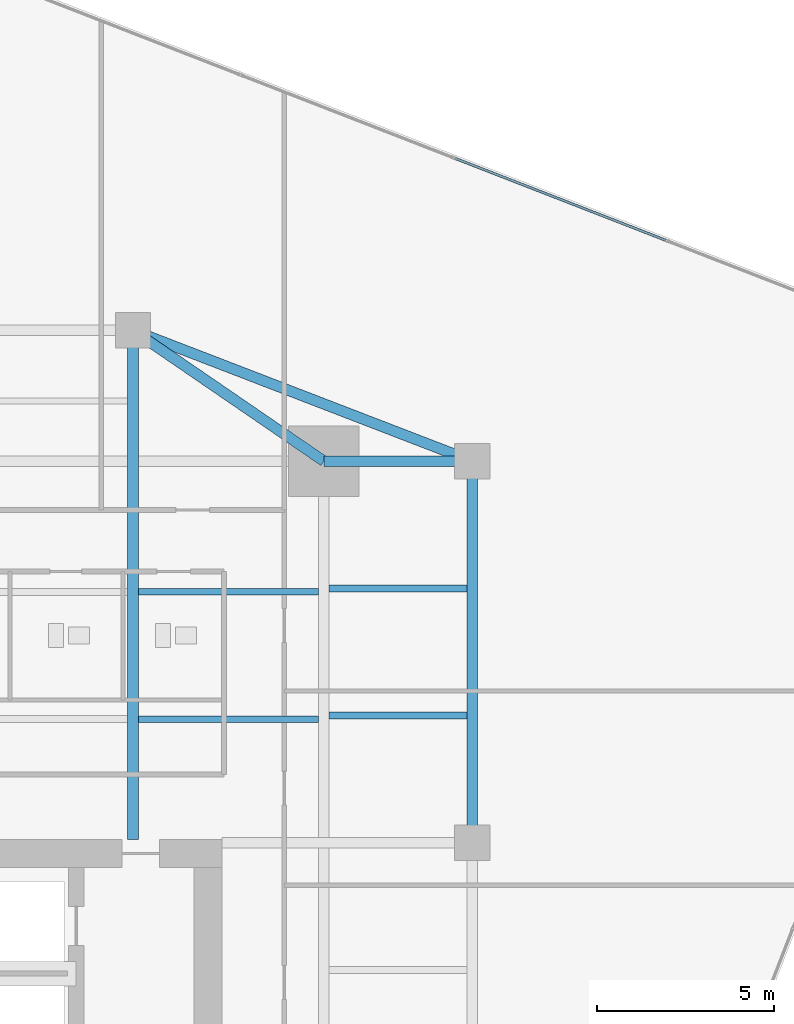
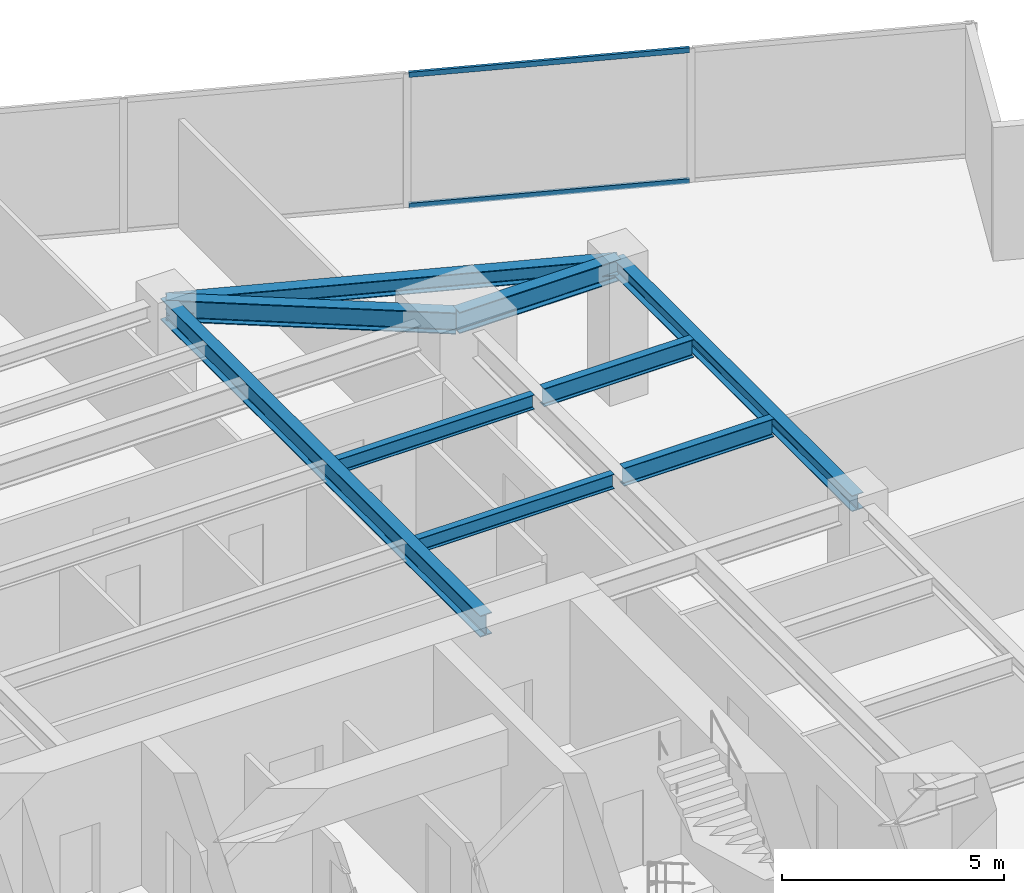
# One storey, part 18 of 26: 9 beams, 2 members, 1 element without a shape of its own.
"""IFC4 building model written with IfcOpenShell, lengths in metres."""

from ifc_helpers import new_model, si_unit, direction, frame, origin, origin_2d, place, context, subcontext, project, spatial, hollow_rectangle, i_section, extrude, source, transform, mapped, material, material_profile, profile_set, type_object, type_shapes, element, aggregate, save


model = new_model("IFC4")

# Units and contexts
model_context = context("Model", 3, precision=1e-05, world=origin(), true_north=direction((0.0, 1.0)))
body_context = subcontext(model_context, "Body", "Model", "MODEL_VIEW")
ifc_project = project(units=[si_unit("LENGTHUNIT", "METRE"), si_unit("AREAUNIT", "SQUARE_METRE"), si_unit("VOLUMEUNIT", "CUBIC_METRE"), si_unit("PLANEANGLEUNIT", "RADIAN"), si_unit("MASSUNIT", "GRAM", prefix="KILO")], contexts=[model_context])

# Site, building, storey
site_placement = place(None, origin())
site = spatial("IfcSite", under=ifc_project, at=site_placement, CompositionType="ELEMENT")
building_placement = place(site_placement, origin())
building = spatial("IfcBuilding", under=site, at=building_placement, Name="Krantzveldt Concourse Tower", CompositionType="ELEMENT")
storey_placement = place(building_placement, frame((0.0, 0.0, 129.550048828125)))
storey = spatial("IfcBuildingStorey", under=building, at=storey_placement, Name="L31", CompositionType="ELEMENT", Elevation=129.550048828125)

# Beams
ifc_material_1 = material(Name="Steel S355JR", Category="steel")
ifc_material_profile_1 = material_profile(ifc_material_1, i_section(OverallWidth=0.300048828125, OverallDepth=0.590087890625, WebThickness=0.012939453125, FlangeThickness=0.02490234375, FilletRadius=0.027099609375, at=origin_2d()), Name="Steel S355JR", Category="steel")
ifc_profile_set_1 = profile_set([ifc_material_profile_1], Name="Steel S355JR - HEA 600")
beam_type_1 = type_object("IfcBeamType", Name="BM-B-HEA600", PredefinedType="BEAM", material=ifc_profile_set_1)
shared_shape_1 = source(origin(), body_context, "Body", "SweptSolid", [
    extrude(i_section(OverallWidth=0.300048828125, OverallDepth=0.590087890625, WebThickness=0.012939453125, FlangeThickness=0.02490234375, FilletRadius=0.027099609375, at=origin_2d()), origin(), (0.0, 0.0, 1.0), 14.39990234375),
])
beam_1_placement = place(storey_placement, frame((41.39990234375, 26.800048828125, 3.375), z_axis=(0.0, 1.0, 0.0), x_axis=(-1.0, 0.0, 0.0)))
element("IfcBeam", 1, at=beam_1_placement, inside=storey, type_object=beam_type_1, Name="L31 Tower Girder BG-CNE", PredefinedType="BEAM", context=body_context, shape_type="MappedRepresentation", body=[
    mapped(shared_shape_1, transform((0.0, 0.0, 0.0), x_axis=(1.0, 0.0, 0.0), y_axis=(0.0, 1.0, 0.0), z_axis=(0.0, 0.0, 1.0), scale=1.0)),
])
ifc_material_profile_2 = material_profile(ifc_material_1, i_section(OverallWidth=0.300048828125, OverallDepth=0.43994140625, WebThickness=0.011474609375, FlangeThickness=0.02099609375, FilletRadius=0.027099609375, at=origin_2d()), Name="Steel S355JR", Category="steel")
ifc_profile_set_2 = profile_set([ifc_material_profile_2], Name="Steel S355JR - HEA 450")
beam_type_2 = type_object("IfcBeamType", Name="BM-SP-HEA450", PredefinedType="SPANDREL", material=ifc_profile_set_2)
shared_shape_2 = source(origin(), body_context, "Body", "SweptSolid", [
    extrude(i_section(OverallWidth=0.300048828125, OverallDepth=0.43994140625, WebThickness=0.011474609375, FlangeThickness=0.02099609375, FilletRadius=0.027099609375, at=origin_2d()), origin(), (0.0, 0.0, 1.0), 10.800048828125),
])
beam_2_placement = place(storey_placement, frame((51.0, 37.5, 3.449951171875), z_axis=(0.0, -1.0, 0.0), x_axis=(1.0, 0.0, 0.0)))
element("IfcBeam", 2, at=beam_2_placement, inside=storey, type_object=beam_type_2, Name="L31 Tower Girder SP-R06", PredefinedType="SPANDREL", context=body_context, shape_type="MappedRepresentation", body=[
    mapped(shared_shape_2, transform((0.0, 0.0, 0.0), x_axis=(1.0, 0.0, 0.0), y_axis=(0.0, 1.0, 0.0), z_axis=(0.0, 0.0, 1.0), scale=1.0)),
])
shared_shape_3 = source(origin(), body_context, "Body", "SweptSolid", [
    extrude(i_section(OverallWidth=0.300048828125, OverallDepth=0.43994140625, WebThickness=0.011474609375, FlangeThickness=0.02099609375, FilletRadius=0.027099609375, at=origin_2d()), origin(), (0.0, 0.0, 1.0), 10.288330078125),
])
type_shapes(beam_type_2, [shared_shape_2, shared_shape_3])
beam_3_placement = place(storey_placement, frame((41.39990234375, 41.199951171875, 3.449951171875), z_axis=(0.933097690408, -0.359622997257, 0.0), x_axis=(0.359622997257, 0.933097690408, 0.0)))
element("IfcBeam", 3, at=beam_3_placement, inside=storey, type_object=beam_type_2, Name="L31 Tower Girder SP-R05", PredefinedType="SPANDREL", context=body_context, shape_type="MappedRepresentation", body=[
    mapped(shared_shape_3, transform((0.0, 0.0, 0.0), x_axis=(1.0, 0.0, 0.0), y_axis=(0.0, 1.0, 0.0), z_axis=(0.0, 0.0, 1.0), scale=1.0)),
])
shared_shape_4 = source(origin(), body_context, "Body", "SweptSolid", [
    extrude(i_section(OverallWidth=0.300048828125, OverallDepth=0.590087890625, WebThickness=0.012939453125, FlangeThickness=0.02490234375, FilletRadius=0.027099609375, at=origin_2d()), origin(), (0.0, 0.0, 1.0), 4.199951171875),
])
beam_4_placement = place(storey_placement, frame((46.800048828125, 37.5, 3.375), z_axis=(1.0, 0.0, 0.0), x_axis=(0.0, 1.0, 0.0)))
element("IfcBeam", 4, at=beam_4_placement, inside=storey, type_object=beam_type_1, Name="L31 Tower Girder BR-RR3", PredefinedType="BEAM", context=body_context, shape_type="MappedRepresentation", body=[
    mapped(shared_shape_4, transform((0.0, 0.0, 0.0), x_axis=(1.0, 0.0, 0.0), y_axis=(0.0, 1.0, 0.0), z_axis=(0.0, 0.0, 1.0), scale=1.0)),
])
shared_shape_5 = source(origin(), body_context, "Body", "SweptSolid", [
    extrude(i_section(OverallWidth=0.300048828125, OverallDepth=0.590087890625, WebThickness=0.012939453125, FlangeThickness=0.02490234375, FilletRadius=0.027099609375, at=origin_2d()), origin(), (0.0, 0.0, 1.0), 6.546142578125),
])
type_shapes(beam_type_1, [shared_shape_1, shared_shape_4, shared_shape_5])
beam_5_placement = place(storey_placement, frame((46.800048828125, 37.5, 3.375), z_axis=(-0.824942999484, 0.565215930068, 0.0), x_axis=(-0.565215930068, -0.824942999484, 0.0)))
element("IfcBeam", 5, at=beam_5_placement, inside=storey, type_object=beam_type_1, Name="L31 Tower Girder BR-RR4", PredefinedType="BEAM", context=body_context, shape_type="MappedRepresentation", body=[
    mapped(shared_shape_5, transform((0.0, 0.0, 0.0), x_axis=(1.0, 0.0, 0.0), y_axis=(0.0, 1.0, 0.0), z_axis=(0.0, 0.0, 1.0), scale=1.0)),
])
ifc_material_profile_3 = material_profile(ifc_material_1, i_section(OverallWidth=0.179931640625, OverallDepth=0.39990234375, WebThickness=0.008544921875, FlangeThickness=0.013427734375, FilletRadius=0.02099609375, at=origin_2d()), Name="Steel S355JR", Category="steel")
ifc_profile_set_3 = profile_set([ifc_material_profile_3], Name="Steel S355JR - IPE 400")
beam_type_3 = type_object("IfcBeamType", Name="BM-J-IPE400", PredefinedType="JOIST", material=ifc_profile_set_3)
shared_shape_6 = source(origin(), body_context, "Body", "SweptSolid", [
    extrude(i_section(OverallWidth=0.179931640625, OverallDepth=0.39990234375, WebThickness=0.008544921875, FlangeThickness=0.013427734375, FilletRadius=0.02099609375, at=origin_2d()), origin(), (0.0, 0.0, 1.0), 5.099853515625),
])
type_shapes(beam_type_3, [shared_shape_6])
for number, where, z_axis, x_axis, name in (
    (6, (41.550048828125, 30.199951171875, 3.469970703125), (1.0, 0.0, 0.0), (0.0, 1.0, 0.0), "L31 Secondary Floor Joist JN-E1"),
    (7, (41.550048828125, 33.800048828125, 3.469970703125), (1.0, 0.0, 0.0), (0.0, 1.0, 0.0), "L31 Secondary Floor Joist JN-E2"),
):
    element("IfcBeam", number, at=place(storey_placement, frame(where, z_axis=z_axis, x_axis=x_axis)), inside=storey, type_object=beam_type_3, Name=name, PredefinedType="JOIST", context=body_context, shape_type="MappedRepresentation", body=[
        mapped(shared_shape_6, transform((0.0, 0.0, 0.0), x_axis=(1.0, 0.0, 0.0), y_axis=(0.0, 1.0, 0.0), z_axis=(0.0, 0.0, 1.0), scale=1.0)),
    ])
ifc_material_profile_4 = material_profile(ifc_material_1, i_section(OverallWidth=0.199951171875, OverallDepth=0.5, WebThickness=0.01025390625, FlangeThickness=0.01611328125, FilletRadius=0.02099609375, at=origin_2d()), Name="Steel S355JR", Category="steel")
ifc_profile_set_4 = profile_set([ifc_material_profile_4], Name="Steel S355JR - IPE 500")
beam_type_4 = type_object("IfcBeamType", Name="BM-J-IPE500", PredefinedType="JOIST", material=ifc_profile_set_4)
shared_shape_7 = source(origin(), body_context, "Body", "SweptSolid", [
    extrude(i_section(OverallWidth=0.199951171875, OverallDepth=0.5, WebThickness=0.01025390625, FlangeThickness=0.01611328125, FilletRadius=0.02099609375, at=origin_2d()), origin(), (0.0, 0.0, 1.0), 3.900146484375),
])
type_shapes(beam_type_4, [shared_shape_7])
for number, where, z_axis, x_axis, name in (
    (8, (46.949951171875, 30.300048828125, 3.419921875), (1.0, 0.0, 0.0), (0.0, 1.0, 0.0), "L31 Secondary Floor Joist JE-3"),
    (9, (46.949951171875, 33.89990234375, 3.419921875), (1.0, 0.0, 0.0), (0.0, 1.0, 0.0), "L31 Secondary Floor Joist JE-4"),
):
    element("IfcBeam", number, at=place(storey_placement, frame(where, z_axis=z_axis, x_axis=x_axis)), inside=storey, type_object=beam_type_4, Name=name, PredefinedType="JOIST", context=body_context, shape_type="MappedRepresentation", body=[
        mapped(shared_shape_7, transform((0.0, 0.0, 0.0), x_axis=(1.0, 0.0, 0.0), y_axis=(0.0, 1.0, 0.0), z_axis=(0.0, 0.0, 1.0), scale=1.0)),
    ])

# Curtain wall, members
ifc_material_2 = material(Name="Anodised aluminium 6063-T6", Category="aluminium")
curtain_wall_type = type_object("IfcCurtainWallType", Name="CW2", PredefinedType="USERDEFINED", material=ifc_material_2)
curtain_wall_placement = place(storey_placement, origin())
curtain_wall = element("IfcCurtainWall", 10, at=curtain_wall_placement, inside=storey, type_object=curtain_wall_type, Name="CW-L31-F14", ObjectType="UNITISED CURTAIN WALL", PredefinedType="USERDEFINED")
ifc_material_profile_5 = material_profile(ifc_material_2, hollow_rectangle(XDim=0.070068359375, YDim=0.139892578125, WallThickness=0.0048828125, at=origin_2d()), Name="Anodised aluminium 6063-T6", Category="aluminium")
ifc_profile_set_5 = profile_set([ifc_material_profile_5], Name="Anodised aluminium 6063-T6 - ALU-TRAN 140x70x5")
member_type = type_object("IfcMemberType", Name="CW-TRN-150", PredefinedType="USERDEFINED", material=ifc_profile_set_5)
shared_shape_8 = source(origin(), body_context, "Body", "SweptSolid", [
    extrude(hollow_rectangle(XDim=0.070068359375, YDim=0.139892578125, WallThickness=0.0048828125, at=origin_2d()), origin(), (0.0, 0.0, 1.0), 6.396484375),
])
type_shapes(member_type, [shared_shape_8])
member_1_placement = place(storey_placement, frame((56.4697265625, 43.750244140625, 0.034912109375), z_axis=(-0.932008252882, 0.36243705186, 0.0), x_axis=(-0.36243705186, -0.932008252882, 0.0)))
member_1 = element("IfcMember", 11, at=member_1_placement, type_object=member_type, Name="CW-Z12 transom 2.1", ObjectType="TRANSOM", PredefinedType="USERDEFINED", context=body_context, shape_type="MappedRepresentation", body=[
    mapped(shared_shape_8, transform((0.0, 0.0, 0.0), x_axis=(1.0, 0.0, 0.0), y_axis=(0.0, 1.0, 0.0), z_axis=(0.0, 0.0, 1.0), scale=1.0)),
])
member_2_placement = place(storey_placement, frame((56.4697265625, 43.750244140625, 3.635009765625), z_axis=(-0.932008252882, 0.36243705186, 0.0), x_axis=(-0.36243705186, -0.932008252882, 0.0)))
member_2 = element("IfcMember", 12, at=member_2_placement, type_object=member_type, Name="CW-Z12 transom 2.2", ObjectType="TRANSOM", PredefinedType="USERDEFINED", context=body_context, shape_type="MappedRepresentation", body=[
    mapped(shared_shape_8, transform((0.0, 0.0, 0.0), x_axis=(1.0, 0.0, 0.0), y_axis=(0.0, 1.0, 0.0), z_axis=(0.0, 0.0, 1.0), scale=1.0)),
])
aggregate(curtain_wall, [member_1, member_2])

save(model, "model.ifc")
